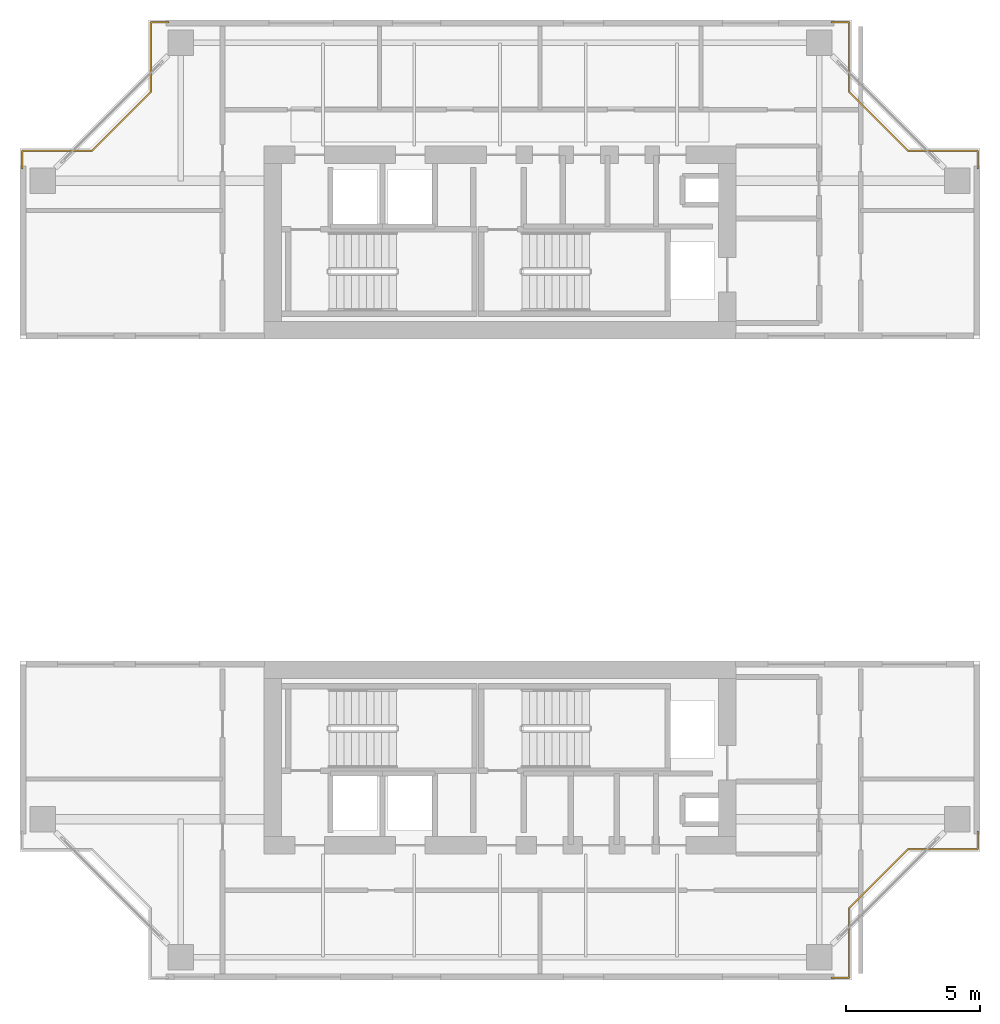
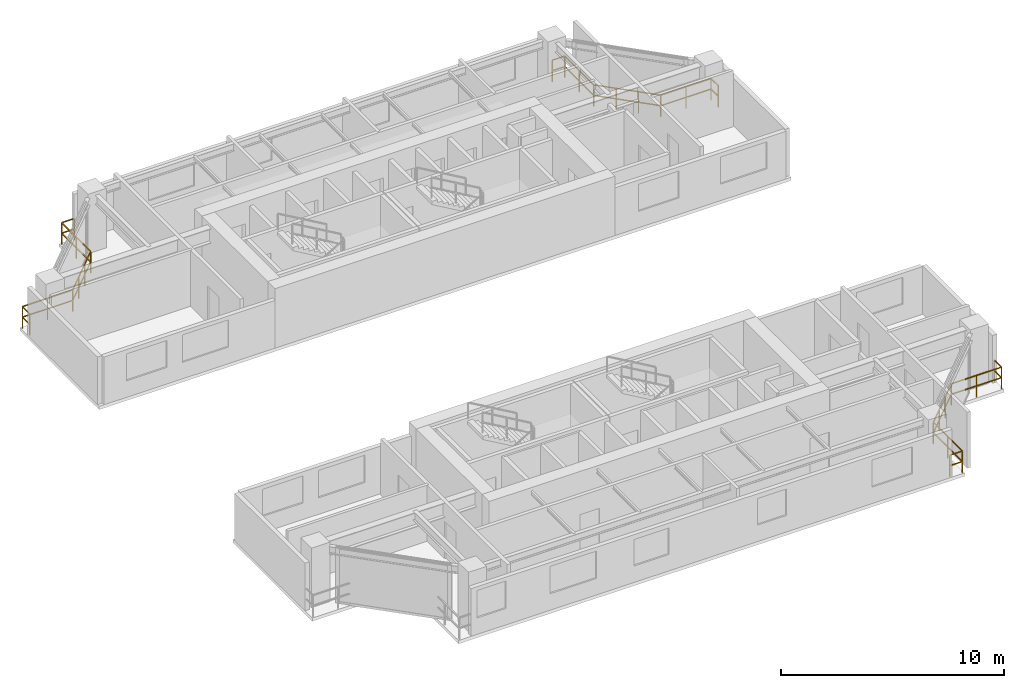
# One storey, part 12 of 12: 3 railings.
"""IFC4 building model written with IfcOpenShell, lengths in metres."""

from ifc_helpers import new_model, si_unit, direction, frame, origin, origin_2d, place, context, subcontext, project, spatial, rectangle, extrude, material, type_object, element, save


model = new_model("IFC4")

# Units and contexts
model_context = context("Model", 3, precision=1e-05, world=origin(), true_north=direction((0.0, 1.0)))
body_context = subcontext(model_context, "Body", "Model", "MODEL_VIEW")
ifc_project = project(units=[si_unit("LENGTHUNIT", "METRE"), si_unit("AREAUNIT", "SQUARE_METRE"), si_unit("VOLUMEUNIT", "CUBIC_METRE"), si_unit("PLANEANGLEUNIT", "RADIAN"), si_unit("MASSUNIT", "GRAM", prefix="KILO"), si_unit("THERMODYNAMICTEMPERATUREUNIT", "KELVIN"), si_unit("POWERUNIT", "WATT")], contexts=[model_context])

# Site, building, storey
site_placement = place(None, origin())
site = spatial("IfcSite", under=ifc_project, at=site_placement, CompositionType="ELEMENT")
building_placement = place(site_placement, origin())
building = spatial("IfcBuilding", under=site, at=building_placement, Name="Qiaomeng Ring Towers", CompositionType="ELEMENT")
storey_placement = place(building_placement, frame((0.0, 0.0, 163.25)))
storey = spatial("IfcBuildingStorey", under=building, at=storey_placement, Name="L47", CompositionType="ELEMENT", Elevation=163.25)

# Railings
ifc_material = material(Name="Low-E pale-green laminated safety glass", Category="glass")
railing_type = type_object("IfcRailingType", Name="ARC-RL-BAL1", PredefinedType="BALUSTRADE", material=ifc_material)
railing_1_placement = place(storey_placement, frame((31.3701171875, 5.179931640625, 0.0)))
element("IfcRailing", 1, at=railing_1_placement, inside=storey, type_object=railing_type, Name="L47 Balustrade ARC-BAL-NOTCH1-L47-SE", PredefinedType="BALUSTRADE", context=body_context, shape_type="SweptSolid", body=[
    extrude(rectangle(XDim=0.048095703125, YDim=0.048095703125, at=origin_2d()), frame((0.0, 0.0, 1.17578125), z_axis=(1.0, 0.0, 0.0), x_axis=(0.0, 1.0, 0.0)), (0.0, 0.0, 1.0), 0.64990234375),
    extrude(rectangle(XDim=0.048095703125, YDim=0.048095703125, at=origin_2d()), frame((0.0, 0.0, 0.60009765625), z_axis=(1.0, 0.0, 0.0), x_axis=(0.0, 1.0, 0.0)), (0.0, 0.0, 1.0), 0.64990234375),
    extrude(rectangle(XDim=0.048095703125, YDim=0.048095703125, at=origin_2d()), frame((0.64990234375, 0.0, 1.17578125), z_axis=(0.0, 1.0, 0.0), x_axis=(-1.0, 0.0, 0.0)), (0.0, 0.0, 1.0), 2.60009765625),
    extrude(rectangle(XDim=0.048095703125, YDim=0.048095703125, at=origin_2d()), frame((0.64990234375, 0.0, 0.60009765625), z_axis=(0.0, 1.0, 0.0), x_axis=(-1.0, 0.0, 0.0)), (0.0, 0.0, 1.0), 2.60009765625),
    extrude(rectangle(XDim=0.048095703125, YDim=0.048095703125, at=origin_2d()), frame((0.64990234375, 2.60009765625, 1.17578125), z_axis=(0.707106781187, 0.707106781187, 0.0), x_axis=(-0.707106781187, 0.707106781187, 0.0)), (0.0, 0.0, 1.0), 3.111083984375),
    extrude(rectangle(XDim=0.048095703125, YDim=0.048095703125, at=origin_2d()), frame((0.64990234375, 2.60009765625, 0.60009765625), z_axis=(0.707106781187, 0.707106781187, 0.0), x_axis=(-0.707106781187, 0.707106781187, 0.0)), (0.0, 0.0, 1.0), 3.111083984375),
    extrude(rectangle(XDim=0.048095703125, YDim=0.048095703125, at=origin_2d()), frame((2.849853515625, 4.800048828125, 1.17578125), z_axis=(1.0, 0.0, 0.0), x_axis=(0.0, 1.0, 0.0)), (0.0, 0.0, 1.0), 2.60009765625),
    extrude(rectangle(XDim=0.048095703125, YDim=0.048095703125, at=origin_2d()), frame((2.849853515625, 4.800048828125, 0.60009765625), z_axis=(1.0, 0.0, 0.0), x_axis=(0.0, 1.0, 0.0)), (0.0, 0.0, 1.0), 2.60009765625),
    extrude(rectangle(XDim=0.048095703125, YDim=0.048095703125, at=origin_2d()), frame((5.449951171875, 4.800048828125, 1.17578125), z_axis=(0.0, 1.0, 0.0), x_axis=(-1.0, 0.0, 0.0)), (0.0, 0.0, 1.0), 0.64990234375),
    extrude(rectangle(XDim=0.048095703125, YDim=0.048095703125, at=origin_2d()), frame((5.449951171875, 4.800048828125, 0.60009765625), z_axis=(0.0, 1.0, 0.0), x_axis=(-1.0, 0.0, 0.0)), (0.0, 0.0, 1.0), 0.64990234375),
    extrude(rectangle(XDim=0.0419921875, YDim=0.0419921875, at=origin_2d()), origin(), (0.0, 0.0, 1.0), 1.15185546875),
    extrude(rectangle(XDim=0.0419921875, YDim=0.0419921875, at=origin_2d()), frame((0.64990234375, 0.0, 0.0)), (0.0, 0.0, 1.0), 1.15185546875),
    extrude(rectangle(XDim=0.0419921875, YDim=0.0419921875, at=origin_2d()), frame((0.64990234375, 1.300048828125, 0.0)), (0.0, 0.0, 1.0), 1.15185546875),
    extrude(rectangle(XDim=0.0419921875, YDim=0.0419921875, at=origin_2d()), frame((0.64990234375, 2.60009765625, 0.0)), (0.0, 0.0, 1.0), 1.15185546875),
    extrude(rectangle(XDim=0.0419921875, YDim=0.0419921875, at=origin_2d()), frame((1.38330078125, 3.33349609375, 0.0)), (0.0, 0.0, 1.0), 1.15185546875),
    extrude(rectangle(XDim=0.0419921875, YDim=0.0419921875, at=origin_2d()), frame((2.116455078125, 4.066650390625, 0.0)), (0.0, 0.0, 1.0), 1.15185546875),
    extrude(rectangle(XDim=0.0419921875, YDim=0.0419921875, at=origin_2d()), frame((2.849853515625, 4.800048828125, 0.0)), (0.0, 0.0, 1.0), 1.15185546875),
    extrude(rectangle(XDim=0.0419921875, YDim=0.0419921875, at=origin_2d()), frame((4.14990234375, 4.800048828125, 0.0)), (0.0, 0.0, 1.0), 1.15185546875),
    extrude(rectangle(XDim=0.0419921875, YDim=0.0419921875, at=origin_2d()), frame((5.449951171875, 4.800048828125, 0.0)), (0.0, 0.0, 1.0), 1.15185546875),
    extrude(rectangle(XDim=0.0419921875, YDim=0.0419921875, at=origin_2d()), frame((5.449951171875, 5.449951171875, 0.0)), (0.0, 0.0, 1.0), 1.15185546875),
])
railing_2_placement = place(storey_placement, frame((36.820068359375, 35.3701171875, 0.0)))
element("IfcRailing", 2, at=railing_2_placement, inside=storey, type_object=railing_type, Name="L47 Balustrade ARC-BAL-NOTCH1-L47-NE", PredefinedType="BALUSTRADE", context=body_context, shape_type="SweptSolid", body=[
    extrude(rectangle(XDim=0.048095703125, YDim=0.048095703125, at=origin_2d()), frame((0.0, 0.0, 1.17578125), z_axis=(0.0, 1.0, 0.0), x_axis=(-1.0, 0.0, 0.0)), (0.0, 0.0, 1.0), 0.64990234375),
    extrude(rectangle(XDim=0.048095703125, YDim=0.048095703125, at=origin_2d()), frame((0.0, 0.0, 0.60009765625), z_axis=(0.0, 1.0, 0.0), x_axis=(-1.0, 0.0, 0.0)), (0.0, 0.0, 1.0), 0.64990234375),
    extrude(rectangle(XDim=0.048095703125, YDim=0.048095703125, at=origin_2d()), frame((0.0, 0.64990234375, 1.17578125), z_axis=(-1.0, 0.0, 0.0), x_axis=(0.0, -1.0, 0.0)), (0.0, 0.0, 1.0), 2.60009765625),
    extrude(rectangle(XDim=0.048095703125, YDim=0.048095703125, at=origin_2d()), frame((0.0, 0.64990234375, 0.60009765625), z_axis=(-1.0, 0.0, 0.0), x_axis=(0.0, -1.0, 0.0)), (0.0, 0.0, 1.0), 2.60009765625),
    extrude(rectangle(XDim=0.048095703125, YDim=0.048095703125, at=origin_2d()), frame((-2.60009765625, 0.64990234375, 1.17578125), z_axis=(-0.707106781187, 0.707106781187, 0.0), x_axis=(-0.707106781187, -0.707106781187, 0.0)), (0.0, 0.0, 1.0), 3.111083984375),
    extrude(rectangle(XDim=0.048095703125, YDim=0.048095703125, at=origin_2d()), frame((-2.60009765625, 0.64990234375, 0.60009765625), z_axis=(-0.707106781187, 0.707106781187, 0.0), x_axis=(-0.707106781187, -0.707106781187, 0.0)), (0.0, 0.0, 1.0), 3.111083984375),
    extrude(rectangle(XDim=0.048095703125, YDim=0.048095703125, at=origin_2d()), frame((-4.800048828125, 2.849853515625, 1.17578125), z_axis=(0.0, 1.0, 0.0), x_axis=(-1.0, 0.0, 0.0)), (0.0, 0.0, 1.0), 2.60009765625),
    extrude(rectangle(XDim=0.048095703125, YDim=0.048095703125, at=origin_2d()), frame((-4.800048828125, 2.849853515625, 0.60009765625), z_axis=(0.0, 1.0, 0.0), x_axis=(-1.0, 0.0, 0.0)), (0.0, 0.0, 1.0), 2.60009765625),
    extrude(rectangle(XDim=0.048095703125, YDim=0.048095703125, at=origin_2d()), frame((-4.800048828125, 5.449951171875, 1.17578125), z_axis=(-1.0, 0.0, 0.0), x_axis=(0.0, -1.0, 0.0)), (0.0, 0.0, 1.0), 0.64990234375),
    extrude(rectangle(XDim=0.048095703125, YDim=0.048095703125, at=origin_2d()), frame((-4.800048828125, 5.449951171875, 0.60009765625), z_axis=(-1.0, 0.0, 0.0), x_axis=(0.0, -1.0, 0.0)), (0.0, 0.0, 1.0), 0.64990234375),
    extrude(rectangle(XDim=0.0419921875, YDim=0.0419921875, at=origin_2d()), origin(), (0.0, 0.0, 1.0), 1.15185546875),
    extrude(rectangle(XDim=0.0419921875, YDim=0.0419921875, at=origin_2d()), frame((0.0, 0.64990234375, 0.0)), (0.0, 0.0, 1.0), 1.15185546875),
    extrude(rectangle(XDim=0.0419921875, YDim=0.0419921875, at=origin_2d()), frame((-1.300048828125, 0.64990234375, 0.0)), (0.0, 0.0, 1.0), 1.15185546875),
    extrude(rectangle(XDim=0.0419921875, YDim=0.0419921875, at=origin_2d()), frame((-2.60009765625, 0.64990234375, 0.0)), (0.0, 0.0, 1.0), 1.15185546875),
    extrude(rectangle(XDim=0.0419921875, YDim=0.0419921875, at=origin_2d()), frame((-3.33349609375, 1.38330078125, 0.0)), (0.0, 0.0, 1.0), 1.15185546875),
    extrude(rectangle(XDim=0.0419921875, YDim=0.0419921875, at=origin_2d()), frame((-4.066650390625, 2.116455078125, 0.0)), (0.0, 0.0, 1.0), 1.15185546875),
    extrude(rectangle(XDim=0.0419921875, YDim=0.0419921875, at=origin_2d()), frame((-4.800048828125, 2.849853515625, 0.0)), (0.0, 0.0, 1.0), 1.15185546875),
    extrude(rectangle(XDim=0.0419921875, YDim=0.0419921875, at=origin_2d()), frame((-4.800048828125, 4.14990234375, 0.0)), (0.0, 0.0, 1.0), 1.15185546875),
    extrude(rectangle(XDim=0.0419921875, YDim=0.0419921875, at=origin_2d()), frame((-4.800048828125, 5.449951171875, 0.0)), (0.0, 0.0, 1.0), 1.15185546875),
    extrude(rectangle(XDim=0.0419921875, YDim=0.0419921875, at=origin_2d()), frame((-5.449951171875, 5.449951171875, 0.0)), (0.0, 0.0, 1.0), 1.15185546875),
])
railing_3_placement = place(storey_placement, frame((6.6298828125, 40.820068359375, 0.0)))
element("IfcRailing", 3, at=railing_3_placement, inside=storey, type_object=railing_type, Name="L47 Balustrade ARC-BAL-NOTCH1-L47-NW", PredefinedType="BALUSTRADE", context=body_context, shape_type="SweptSolid", body=[
    extrude(rectangle(XDim=0.048095703125, YDim=0.048095703125, at=origin_2d()), frame((0.0, 0.0, 1.17578125), z_axis=(-1.0, 0.0, 0.0), x_axis=(0.0, -1.0, 0.0)), (0.0, 0.0, 1.0), 0.64990234375),
    extrude(rectangle(XDim=0.048095703125, YDim=0.048095703125, at=origin_2d()), frame((0.0, 0.0, 0.60009765625), z_axis=(-1.0, 0.0, 0.0), x_axis=(0.0, -1.0, 0.0)), (0.0, 0.0, 1.0), 0.64990234375),
    extrude(rectangle(XDim=0.048095703125, YDim=0.048095703125, at=origin_2d()), frame((-0.64990234375, 0.0, 1.17578125), z_axis=(0.0, -1.0, 0.0), x_axis=(1.0, 0.0, 0.0)), (0.0, 0.0, 1.0), 2.60009765625),
    extrude(rectangle(XDim=0.048095703125, YDim=0.048095703125, at=origin_2d()), frame((-0.64990234375, 0.0, 0.60009765625), z_axis=(0.0, -1.0, 0.0), x_axis=(1.0, 0.0, 0.0)), (0.0, 0.0, 1.0), 2.60009765625),
    extrude(rectangle(XDim=0.048095703125, YDim=0.048095703125, at=origin_2d()), frame((-0.64990234375, -2.60009765625, 1.17578125), z_axis=(-0.707106781187, -0.707106781187, 0.0), x_axis=(0.707106781187, -0.707106781187, 0.0)), (0.0, 0.0, 1.0), 3.111083984375),
    extrude(rectangle(XDim=0.048095703125, YDim=0.048095703125, at=origin_2d()), frame((-0.64990234375, -2.60009765625, 0.60009765625), z_axis=(-0.707106781187, -0.707106781187, 0.0), x_axis=(0.707106781187, -0.707106781187, 0.0)), (0.0, 0.0, 1.0), 3.111083984375),
    extrude(rectangle(XDim=0.048095703125, YDim=0.048095703125, at=origin_2d()), frame((-2.849853515625, -4.800048828125, 1.17578125), z_axis=(-1.0, 0.0, 0.0), x_axis=(0.0, -1.0, 0.0)), (0.0, 0.0, 1.0), 2.60009765625),
    extrude(rectangle(XDim=0.048095703125, YDim=0.048095703125, at=origin_2d()), frame((-2.849853515625, -4.800048828125, 0.60009765625), z_axis=(-1.0, 0.0, 0.0), x_axis=(0.0, -1.0, 0.0)), (0.0, 0.0, 1.0), 2.60009765625),
    extrude(rectangle(XDim=0.048095703125, YDim=0.048095703125, at=origin_2d()), frame((-5.449951171875, -4.800048828125, 1.17578125), z_axis=(0.0, -1.0, 0.0), x_axis=(1.0, 0.0, 0.0)), (0.0, 0.0, 1.0), 0.64990234375),
    extrude(rectangle(XDim=0.048095703125, YDim=0.048095703125, at=origin_2d()), frame((-5.449951171875, -4.800048828125, 0.60009765625), z_axis=(0.0, -1.0, 0.0), x_axis=(1.0, 0.0, 0.0)), (0.0, 0.0, 1.0), 0.64990234375),
    extrude(rectangle(XDim=0.0419921875, YDim=0.0419921875, at=origin_2d()), origin(), (0.0, 0.0, 1.0), 1.15185546875),
    extrude(rectangle(XDim=0.0419921875, YDim=0.0419921875, at=origin_2d()), frame((-0.64990234375, 0.0, 0.0)), (0.0, 0.0, 1.0), 1.15185546875),
    extrude(rectangle(XDim=0.0419921875, YDim=0.0419921875, at=origin_2d()), frame((-0.64990234375, -1.300048828125, 0.0)), (0.0, 0.0, 1.0), 1.15185546875),
    extrude(rectangle(XDim=0.0419921875, YDim=0.0419921875, at=origin_2d()), frame((-0.64990234375, -2.60009765625, 0.0)), (0.0, 0.0, 1.0), 1.15185546875),
    extrude(rectangle(XDim=0.0419921875, YDim=0.0419921875, at=origin_2d()), frame((-1.38330078125, -3.33349609375, 0.0)), (0.0, 0.0, 1.0), 1.15185546875),
    extrude(rectangle(XDim=0.0419921875, YDim=0.0419921875, at=origin_2d()), frame((-2.116455078125, -4.066650390625, 0.0)), (0.0, 0.0, 1.0), 1.15185546875),
    extrude(rectangle(XDim=0.0419921875, YDim=0.0419921875, at=origin_2d()), frame((-2.849853515625, -4.800048828125, 0.0)), (0.0, 0.0, 1.0), 1.15185546875),
    extrude(rectangle(XDim=0.0419921875, YDim=0.0419921875, at=origin_2d()), frame((-4.14990234375, -4.800048828125, 0.0)), (0.0, 0.0, 1.0), 1.15185546875),
    extrude(rectangle(XDim=0.0419921875, YDim=0.0419921875, at=origin_2d()), frame((-5.449951171875, -4.800048828125, 0.0)), (0.0, 0.0, 1.0), 1.15185546875),
    extrude(rectangle(XDim=0.0419921875, YDim=0.0419921875, at=origin_2d()), frame((-5.449951171875, -5.449951171875, 0.0)), (0.0, 0.0, 1.0), 1.15185546875),
])

save(model, "model.ifc")
